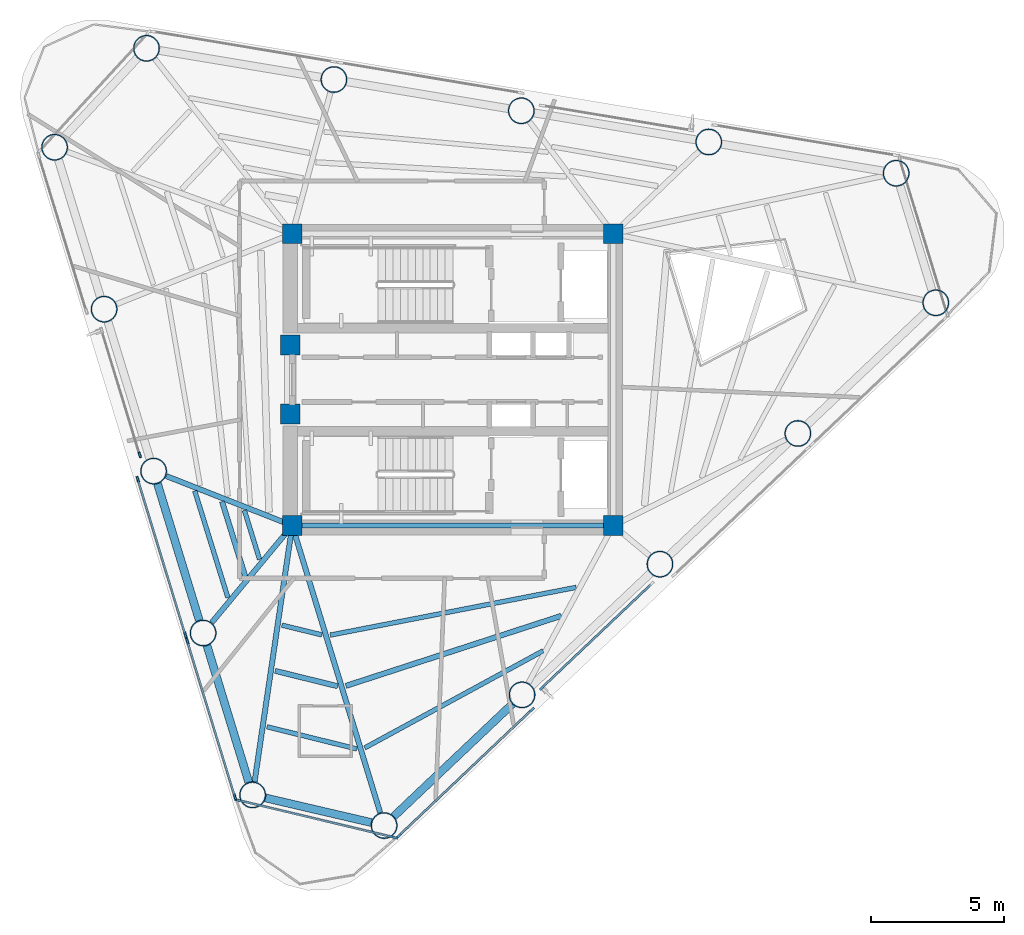
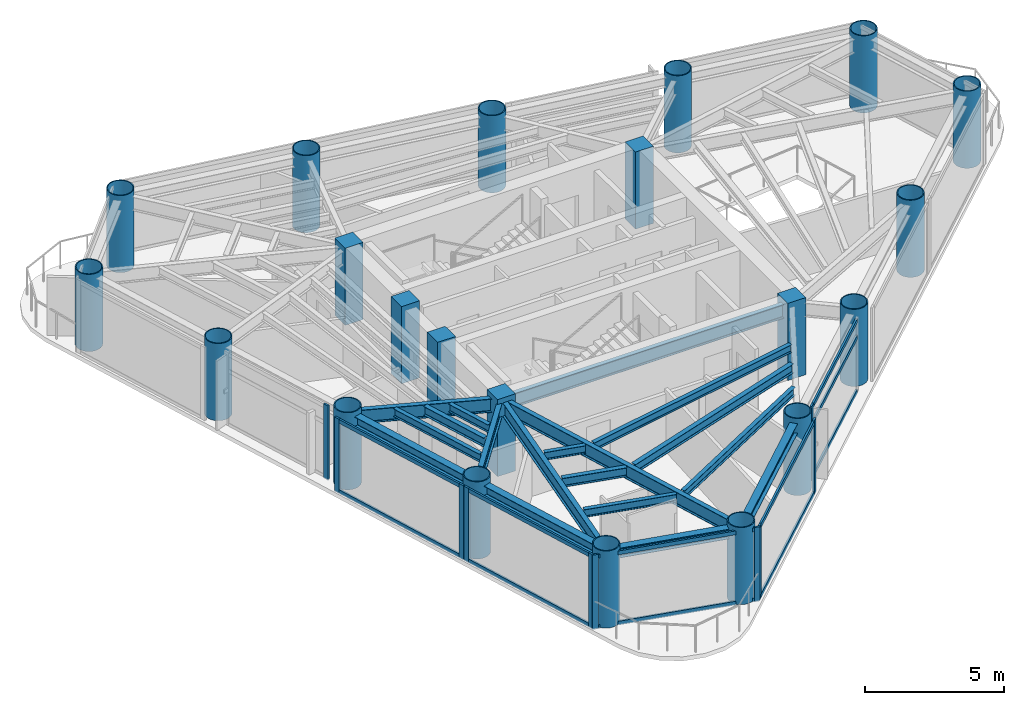
# One storey, part 1 of 9: 21 columns, 21 members, 18 beams, 6 elements without a shape of their own.
"""IFC4 building model written with IfcOpenShell, lengths in metres."""

from ifc_helpers import new_model, si_unit, direction, frame, origin, origin_2d, place, context, subcontext, project, spatial, rectangle, hollow_circle, i_section, extrude, source, transform, mapped, material, layer, layer_set, material_profile, profile_set, type_object, element, aggregate, save


model = new_model("IFC4")

# Units and contexts
model_context = context("Model", 3, precision=1e-05, world=origin(), true_north=direction((0.0, 1.0)))
body_context = subcontext(model_context, "Body", "Model", "MODEL_VIEW")
ifc_project = project(units=[si_unit("LENGTHUNIT", "METRE"), si_unit("AREAUNIT", "SQUARE_METRE"), si_unit("VOLUMEUNIT", "CUBIC_METRE"), si_unit("PLANEANGLEUNIT", "RADIAN"), si_unit("MASSUNIT", "GRAM", prefix="KILO")], contexts=[model_context])

# Site, building, storey
site_placement = place(None, origin())
site = spatial("IfcSite", under=ifc_project, at=site_placement, CompositionType="ELEMENT")
building_placement = place(site_placement, origin())
building = spatial("IfcBuilding", under=site, at=building_placement, Name="Yunling Apex Tower", CompositionType="ELEMENT")
storey_placement = place(building_placement, frame((0.0, 0.0, 249.050048828125)))
storey = spatial("IfcBuildingStorey", under=building, at=storey_placement, Name="L61", CompositionType="ELEMENT", Elevation=249.050048828125)

# Columns
ifc_material_1 = material(Name="Concrete C50", Category="concrete")
ifc_material_profile_1 = material_profile(ifc_material_1, rectangle(XDim=0.75, YDim=0.75, at=origin_2d()))
ifc_profile_set_1 = profile_set([ifc_material_profile_1], Name="Concrete C50")
column_type_1 = type_object("IfcColumnType", Name="PC-SRC-4", PredefinedType="COLUMN", material=ifc_profile_set_1)
shared_shape_1 = source(origin(), body_context, "Body", "SweptSolid", [
    extrude(rectangle(XDim=0.75, YDim=0.75, at=origin_2d()), origin(), (0.0, 0.0, 1.0), 3.39990234375),
])
for number, where, z_axis, x_axis, name in (
    (1, (-6.050048828125, -5.5, 0.0), (0.0, 0.0, 1.0), (1.0, 0.0, 0.0), "L61 Core Spine Column CC-SW"),
    (2, (6.050048828125, -5.5, 0.0), (0.0, 0.0, 1.0), (1.0, 0.0, 0.0), "L61 Core Spine Column CC-SE"),
    (3, (6.050048828125, 5.5, 0.0), (0.0, 0.0, 1.0), (1.0, 0.0, 0.0), "L61 Core Spine Column CC-NE"),
    (4, (-6.050048828125, 5.5, 0.0), (0.0, 0.0, 1.0), (1.0, 0.0, 0.0), "L61 Core Spine Column CC-NW"),
    (5, (-6.125, -1.300048828125, 0.0), (0.0, 0.0, 1.0), (1.0, 0.0, 0.0), "L61 Core West Portal Jamb Column S"),
    (6, (-6.125, 1.300048828125, 0.0), (0.0, 0.0, 1.0), (1.0, 0.0, 0.0), "L61 Core West Portal Jamb Column N"),
):
    element("IfcColumn", number, at=place(storey_placement, frame(where, z_axis=z_axis, x_axis=x_axis)), inside=storey, type_object=column_type_1, Name=name, PredefinedType="COLUMN", context=body_context, shape_type="MappedRepresentation", body=[
        mapped(shared_shape_1, transform((0.0, 0.0, 0.0), scale=1.0)),
    ])
ifc_material_2 = material(Name="Steel Q390GJC", Category="steel")
ifc_material_profile_2 = material_profile(ifc_material_2, hollow_circle(Radius=0.5, WallThickness=0.0400390625, at=origin_2d()))
ifc_profile_set_2 = profile_set([ifc_material_profile_2], Name="Steel Q390GJC")
column_type_2 = type_object("IfcColumnType", Name="MC-CFST-5", PredefinedType="COLUMN", material=ifc_profile_set_2)
shared_shape_2 = source(origin(), body_context, "Body", "SweptSolid", [
    extrude(hollow_circle(Radius=0.5, WallThickness=0.0400390625, at=origin_2d()), origin(), (0.0, 0.0, 1.0), 3.39990234375),
])
for number, where, z_axis, x_axis, name in (
    (7, (-2.58740234375, -16.807861328125, 0.0), (0.0, 0.0, 1.0), (1.0, 0.0, 0.0), "L61 Perimeter CFST Mega-Column P01"),
    (8, (2.61083984375, -11.8818359375, 0.0), (0.0, 0.0, 1.0), (1.0, 0.0, 0.0), "L61 Perimeter CFST Mega-Column P02"),
    (9, (7.80908203125, -6.9560546875, 0.0), (0.0, 0.0, 1.0), (1.0, 0.0, 0.0), "L61 Perimeter CFST Mega-Column P03"),
    (10, (13.007080078125, -2.030029296875, 0.0), (0.0, 0.0, 1.0), (1.0, 0.0, 0.0), "L61 Perimeter CFST Mega-Column P04"),
    (11, (18.205322265625, 2.89599609375, 0.0), (0.0, 0.0, 1.0), (1.0, 0.0, 0.0), "L61 Perimeter CFST Mega-Column P05"),
    (12, (16.712158203125, 7.779296875, 0.0), (0.0, 0.0, 1.0), (1.0, 0.0, 0.0), "L61 Perimeter CFST Mega-Column P06"),
    (13, (9.648193359375, 8.95654296875, 0.0), (0.0, 0.0, 1.0), (1.0, 0.0, 0.0), "L61 Perimeter CFST Mega-Column P07"),
    (14, (2.584228515625, 10.133544921875, 0.0), (0.0, 0.0, 1.0), (1.0, 0.0, 0.0), "L61 Perimeter CFST Mega-Column P08"),
    (15, (-4.479736328125, 11.310546875, 0.0), (0.0, 0.0, 1.0), (1.0, 0.0, 0.0), "L61 Perimeter CFST Mega-Column P09"),
    (16, (-11.543701171875, 12.487548828125, 0.0), (0.0, 0.0, 1.0), (1.0, 0.0, 0.0), "L61 Perimeter CFST Mega-Column P10"),
    (17, (-15.007568359375, 8.7587890625, 0.0), (0.0, 0.0, 1.0), (1.0, 0.0, 0.0), "L61 Perimeter CFST Mega-Column P11"),
    (18, (-13.1416015625, 2.65576171875, 0.0), (0.0, 0.0, 1.0), (1.0, 0.0, 0.0), "L61 Perimeter CFST Mega-Column P12"),
    (19, (-11.27587890625, -3.447509765625, 0.0), (0.0, 0.0, 1.0), (1.0, 0.0, 0.0), "L61 Perimeter CFST Mega-Column P13"),
    (20, (-9.409912109375, -9.55029296875, 0.0), (0.0, 0.0, 1.0), (1.0, 0.0, 0.0), "L61 Perimeter CFST Mega-Column P14"),
    (21, (-7.5439453125, -15.6533203125, 0.0), (0.0, 0.0, 1.0), (1.0, 0.0, 0.0), "L61 Perimeter CFST Mega-Column P15"),
):
    element("IfcColumn", number, at=place(storey_placement, frame(where, z_axis=z_axis, x_axis=x_axis)), inside=storey, type_object=column_type_2, Name=name, PredefinedType="COLUMN", context=body_context, shape_type="MappedRepresentation", body=[
        mapped(shared_shape_2, transform((0.0, 0.0, 0.0), scale=1.0)),
    ])

# Beams
ifc_material_3 = material(Name="Steel Q355B", Category="steel")
ifc_material_profile_3 = material_profile(ifc_material_3, i_section(OverallWidth=0.199951171875, OverallDepth=0.60009765625, WebThickness=0.010986328125, FlangeThickness=0.01708984375, FilletRadius=0.02197265625, at=origin_2d()))
ifc_profile_set_3 = profile_set([ifc_material_profile_3], Name="Steel Q355B")
beam_type_1 = type_object("IfcBeamType", Name="BG-PRI-5", PredefinedType="USERDEFINED", material=ifc_profile_set_3)
shared_shape_3 = source(origin(), body_context, "Body", "SweptSolid", [
    extrude(i_section(OverallWidth=0.199951171875, OverallDepth=0.60009765625, WebThickness=0.010986328125, FlangeThickness=0.01708984375, FilletRadius=0.02197265625, at=origin_2d()), origin(), (0.0, 0.0, 1.0), 11.7998046875),
])
beam_1_placement = place(storey_placement, frame((-5.89990234375, -5.5, 2.8798828125), z_axis=(1.0, 0.0, 0.0), x_axis=(0.0, 1.0, 0.0)))
element("IfcBeam", 22, at=beam_1_placement, inside=storey, type_object=beam_type_1, Name="L61 Core Ring Tie Beam 1", ObjectType="GIRDER", PredefinedType="USERDEFINED", context=body_context, shape_type="MappedRepresentation", body=[
    mapped(shared_shape_3, transform((0.0, 0.0, 0.0), scale=1.0)),
])
ifc_material_profile_4 = material_profile(ifc_material_3, i_section(OverallWidth=0.300048828125, OverallDepth=0.43994140625, WebThickness=0.010986328125, FlangeThickness=0.01806640625, FilletRadius=0.02197265625, at=origin_2d()))
ifc_profile_set_4 = profile_set([ifc_material_profile_4], Name="Steel Q355B")
beam_type_2 = type_object("IfcBeamType", Name="BP-SPN-3", PredefinedType="SPANDREL", material=ifc_profile_set_4)
shared_shape_4 = source(origin(), body_context, "Body", "SweptSolid", [
    extrude(i_section(OverallWidth=0.300048828125, OverallDepth=0.43994140625, WebThickness=0.010986328125, FlangeThickness=0.01806640625, FilletRadius=0.02197265625, at=origin_2d()), origin(), (0.0, 0.0, 1.0), 6.17333984375),
])
beam_2_placement = place(storey_placement, frame((-2.228759765625, -16.468017578125, 2.9599609375), z_axis=(0.725853952128, 0.687848849807, 0.0), x_axis=(-0.687848849807, 0.725853952128, 0.0)))
element("IfcBeam", 23, at=beam_2_placement, inside=storey, type_object=beam_type_2, Name="L61 Perimeter Spandrel Beam 1", PredefinedType="SPANDREL", context=body_context, shape_type="MappedRepresentation", body=[
    mapped(shared_shape_4, transform((0.0, 0.0, 0.0), scale=1.0)),
])
shared_shape_5 = source(origin(), body_context, "Body", "SweptSolid", [
    extrude(i_section(OverallWidth=0.300048828125, OverallDepth=0.43994140625, WebThickness=0.010986328125, FlangeThickness=0.01806640625, FilletRadius=0.02197265625, at=origin_2d()), origin(), (0.0, 0.0, 1.0), 4.1015625),
])
beam_3_placement = place(storey_placement, frame((-7.06298828125, -15.765380859375, 2.9599609375), z_axis=(0.973930702249, -0.226845734401, 0.0), x_axis=(0.226845734401, 0.973930702249, 0.0)))
element("IfcBeam", 24, at=beam_3_placement, inside=storey, type_object=beam_type_2, Name="L61 Perimeter Spandrel Beam 15", PredefinedType="SPANDREL", context=body_context, shape_type="MappedRepresentation", body=[
    mapped(shared_shape_5, transform((0.0, 0.0, 0.0), scale=1.0)),
])
shared_shape_6 = source(origin(), body_context, "Body", "SweptSolid", [
    extrude(i_section(OverallWidth=0.300048828125, OverallDepth=0.43994140625, WebThickness=0.010986328125, FlangeThickness=0.01806640625, FilletRadius=0.02197265625, at=origin_2d()), origin(), (0.0, 0.0, 1.0), 5.393798828125),
])
for number, where, z_axis, x_axis, name in (
    (25, (-11.13134765625, -3.919921875, 2.9599609375), (0.292405975038, -0.956294277805, 0.0), (0.956294277805, 0.292405975038, 0.0), "L61 Perimeter Spandrel Beam 13"),
    (26, (-9.265380859375, -10.022705078125, 2.9599609375), (0.292351925226, -0.956310802938, 0.0), (0.956310802938, 0.292351925226, 0.0), "L61 Perimeter Spandrel Beam 14"),
):
    element("IfcBeam", number, at=place(storey_placement, frame(where, z_axis=z_axis, x_axis=x_axis)), inside=storey, type_object=beam_type_2, Name=name, PredefinedType="SPANDREL", context=body_context, shape_type="MappedRepresentation", body=[
        mapped(shared_shape_6, transform((0.0, 0.0, 0.0), scale=1.0)),
    ])
shared_shape_7 = source(origin(), body_context, "Body", "SweptSolid", [
    extrude(i_section(OverallWidth=0.199951171875, OverallDepth=0.60009765625, WebThickness=0.010986328125, FlangeThickness=0.01708984375, FilletRadius=0.02197265625, at=origin_2d()), origin(), (0.0, 0.0, 1.0), 11.23828125),
])
beam_4_placement = place(storey_placement, frame((-2.736083984375, -16.322265625, 2.8798828125), z_axis=(-0.292794126511, 0.956175506631, 0.0), x_axis=(-0.956175506631, -0.292794126511, 0.0)))
element("IfcBeam", 27, at=beam_4_placement, inside=storey, type_object=beam_type_1, Name="L61 Radial Primary Girder R01", ObjectType="GIRDER", PredefinedType="USERDEFINED", context=body_context, shape_type="MappedRepresentation", body=[
    mapped(shared_shape_7, transform((0.0, 0.0, 0.0), scale=1.0)),
])
shared_shape_8 = source(origin(), body_context, "Body", "SweptSolid", [
    extrude(i_section(OverallWidth=0.199951171875, OverallDepth=0.60009765625, WebThickness=0.010986328125, FlangeThickness=0.01708984375, FilletRadius=0.02197265625, at=origin_2d()), origin(), (0.0, 0.0, 1.0), 5.0263671875),
])
beam_5_placement = place(storey_placement, frame((-10.802978515625, -3.633056640625, 2.8798828125), z_axis=(0.930773335483, -0.365596769617, 0.0), x_axis=(0.365596769617, 0.930773335483, 0.0)))
element("IfcBeam", 28, at=beam_5_placement, inside=storey, type_object=beam_type_1, Name="L61 Radial Primary Girder R13", ObjectType="GIRDER", PredefinedType="USERDEFINED", context=body_context, shape_type="MappedRepresentation", body=[
    mapped(shared_shape_8, transform((0.0, 0.0, 0.0), scale=1.0)),
])
shared_shape_9 = source(origin(), body_context, "Body", "SweptSolid", [
    extrude(i_section(OverallWidth=0.199951171875, OverallDepth=0.60009765625, WebThickness=0.010986328125, FlangeThickness=0.01708984375, FilletRadius=0.02197265625, at=origin_2d()), origin(), (0.0, 0.0, 1.0), 4.6748046875),
])
beam_6_placement = place(storey_placement, frame((-9.085693359375, -9.159423828125, 2.8798828125), z_axis=(0.63846190647, 0.769653424593, 0.0), x_axis=(-0.769653424593, 0.63846190647, 0.0)))
element("IfcBeam", 29, at=beam_6_placement, inside=storey, type_object=beam_type_1, Name="L61 Radial Primary Girder R14", ObjectType="GIRDER", PredefinedType="USERDEFINED", context=body_context, shape_type="MappedRepresentation", body=[
    mapped(shared_shape_9, transform((0.0, 0.0, 0.0), scale=1.0)),
])
shared_shape_10 = source(origin(), body_context, "Body", "SweptSolid", [
    extrude(i_section(OverallWidth=0.199951171875, OverallDepth=0.60009765625, WebThickness=0.010986328125, FlangeThickness=0.01708984375, FilletRadius=0.02197265625, at=origin_2d()), origin(), (0.0, 0.0, 1.0), 9.6748046875),
])
beam_7_placement = place(storey_placement, frame((-7.469970703125, -15.15087890625, 2.8798828125), z_axis=(0.145578261909, 0.989346738843, 0.0), x_axis=(-0.989346738843, 0.145578261909, 0.0)))
element("IfcBeam", 30, at=beam_7_placement, inside=storey, type_object=beam_type_1, Name="L61 Radial Primary Girder R15", ObjectType="GIRDER", PredefinedType="USERDEFINED", context=body_context, shape_type="MappedRepresentation", body=[
    mapped(shared_shape_10, transform((0.0, 0.0, 0.0), scale=1.0)),
])
ifc_material_profile_5 = material_profile(ifc_material_3, i_section(OverallWidth=0.199951171875, OverallDepth=0.39990234375, WebThickness=0.008056640625, FlangeThickness=0.012939453125, FilletRadius=0.01611328125, at=origin_2d()))
ifc_profile_set_5 = profile_set([ifc_material_profile_5], Name="Steel Q355B")
beam_type_3 = type_object("IfcBeamType", Name="BS-SEC-4", PredefinedType="BEAM", material=ifc_profile_set_5)
shared_shape_11 = source(origin(), body_context, "Body", "SweptSolid", [
    extrude(i_section(OverallWidth=0.199951171875, OverallDepth=0.39990234375, WebThickness=0.008056640625, FlangeThickness=0.012939453125, FilletRadius=0.01611328125, at=origin_2d()), origin(), (0.0, 0.0, 1.0), 8.540283203125),
])
beam_8_placement = place(storey_placement, frame((-4.03173828125, -11.544677734375, 2.97998046875), z_axis=(0.950990153104, 0.309221164702, 0.0), x_axis=(-0.309221164702, 0.950990153104, 0.0)))
element("IfcBeam", 31, at=beam_8_placement, inside=storey, type_object=beam_type_3, Name="L61 Composite Floor Beam BS-1", PredefinedType="BEAM", context=body_context, shape_type="MappedRepresentation", body=[
    mapped(shared_shape_11, transform((0.0, 0.0, 0.0), scale=1.0)),
])
ifc_material_profile_6 = material_profile(ifc_material_3, i_section(OverallWidth=0.175048828125, OverallDepth=0.35009765625, WebThickness=0.007080078125, FlangeThickness=0.010986328125, FilletRadius=0.013916015625, at=origin_2d()))
ifc_profile_set_6 = profile_set([ifc_material_profile_6], Name="Steel Q355B")
beam_type_4 = type_object("IfcBeamType", Name="BJ-JST-1", PredefinedType="JOIST", material=ifc_profile_set_6)
shared_shape_12 = source(origin(), body_context, "Body", "SweptSolid", [
    extrude(i_section(OverallWidth=0.175048828125, OverallDepth=0.35009765625, WebThickness=0.007080078125, FlangeThickness=0.010986328125, FilletRadius=0.013916015625, at=origin_2d()), origin(), (0.0, 0.0, 1.0), 7.657470703125),
])
beam_9_placement = place(storey_placement, frame((-3.3193359375, -13.881591796875, 3.0048828125), z_axis=(0.878333844235, 0.478047757104, 0.0), x_axis=(-0.478047757104, 0.878333844235, 0.0)))
element("IfcBeam", 32, at=beam_9_placement, inside=storey, type_object=beam_type_4, Name="L61 Composite Floor Joist BJ1-1", PredefinedType="JOIST", context=body_context, shape_type="MappedRepresentation", body=[
    mapped(shared_shape_12, transform((0.0, 0.0, 0.0), scale=1.0)),
])
shared_shape_13 = source(origin(), body_context, "Body", "SweptSolid", [
    extrude(i_section(OverallWidth=0.175048828125, OverallDepth=0.35009765625, WebThickness=0.007080078125, FlangeThickness=0.010986328125, FilletRadius=0.013916015625, at=origin_2d()), origin(), (0.0, 0.0, 1.0), 9.4462890625),
])
beam_10_placement = place(storey_placement, frame((-4.619140625, -9.62939453125, 3.0048828125), z_axis=(0.981676272709, 0.190556279353, 0.0), x_axis=(-0.190556279353, 0.981676272709, 0.0)))
element("IfcBeam", 33, at=beam_10_placement, inside=storey, type_object=beam_type_4, Name="L61 Composite Floor Joist BJ3-1", PredefinedType="JOIST", context=body_context, shape_type="MappedRepresentation", body=[
    mapped(shared_shape_13, transform((0.0, 0.0, 0.0), scale=1.0)),
])
shared_shape_14 = source(origin(), body_context, "Body", "SweptSolid", [
    extrude(i_section(OverallWidth=0.199951171875, OverallDepth=0.39990234375, WebThickness=0.008056640625, FlangeThickness=0.012939453125, FilletRadius=0.01611328125, at=origin_2d()), origin(), (0.0, 0.0, 1.0), 2.9619140625),
])
beam_11_placement = place(storey_placement, frame((-8.697021484375, -4.594482421875, 2.97998046875), z_axis=(0.296152913488, -0.955140540356, 0.0), x_axis=(0.955140540356, 0.296152913488, 0.0)))
element("IfcBeam", 34, at=beam_11_placement, inside=storey, type_object=beam_type_3, Name="L61 Composite Floor Beam BS-13", PredefinedType="BEAM", context=body_context, shape_type="MappedRepresentation", body=[
    mapped(shared_shape_14, transform((0.0, 0.0, 0.0), scale=1.0)),
])
shared_shape_15 = source(origin(), body_context, "Body", "SweptSolid", [
    extrude(i_section(OverallWidth=0.175048828125, OverallDepth=0.35009765625, WebThickness=0.007080078125, FlangeThickness=0.010986328125, FilletRadius=0.013916015625, at=origin_2d()), origin(), (0.0, 0.0, 1.0), 4.21435546875),
])
beam_12_placement = place(storey_placement, frame((-9.726318359375, -4.190185546875, 3.0048828125), z_axis=(0.296539510889, -0.955020585371, 0.0), x_axis=(0.955020585371, 0.296539510889, 0.0)))
element("IfcBeam", 35, at=beam_12_placement, inside=storey, type_object=beam_type_4, Name="L61 Composite Floor Joist BJ1-13", PredefinedType="JOIST", context=body_context, shape_type="MappedRepresentation", body=[
    mapped(shared_shape_15, transform((0.0, 0.0, 0.0), scale=1.0)),
])
shared_shape_16 = source(origin(), body_context, "Body", "SweptSolid", [
    extrude(i_section(OverallWidth=0.175048828125, OverallDepth=0.35009765625, WebThickness=0.007080078125, FlangeThickness=0.010986328125, FilletRadius=0.013916015625, at=origin_2d()), origin(), (0.0, 0.0, 1.0), 1.93701171875),
])
beam_13_placement = place(storey_placement, frame((-7.85498046875, -4.92529296875, 3.0048828125), z_axis=(0.295546803782, -0.955328261266, 0.0), x_axis=(0.955328261266, 0.295546803782, 0.0)))
element("IfcBeam", 36, at=beam_13_placement, inside=storey, type_object=beam_type_4, Name="L61 Composite Floor Joist BJ3-13", PredefinedType="JOIST", context=body_context, shape_type="MappedRepresentation", body=[
    mapped(shared_shape_16, transform((0.0, 0.0, 0.0), scale=1.0)),
])
shared_shape_17 = source(origin(), body_context, "Body", "SweptSolid", [
    extrude(i_section(OverallWidth=0.199951171875, OverallDepth=0.39990234375, WebThickness=0.008056640625, FlangeThickness=0.012939453125, FilletRadius=0.01611328125, at=origin_2d()), origin(), (0.0, 0.0, 1.0), 2.42578125),
])
beam_14_placement = place(storey_placement, frame((-6.69482421875, -10.977294921875, 2.97998046875), z_axis=(0.971134786196, -0.23853139634, 0.0), x_axis=(0.23853139634, 0.971134786196, 0.0)))
element("IfcBeam", 37, at=beam_14_placement, inside=storey, type_object=beam_type_3, Name="L61 Composite Floor Beam BS-15", PredefinedType="BEAM", context=body_context, shape_type="MappedRepresentation", body=[
    mapped(shared_shape_17, transform((0.0, 0.0, 0.0), scale=1.0)),
])
shared_shape_18 = source(origin(), body_context, "Body", "SweptSolid", [
    extrude(i_section(OverallWidth=0.175048828125, OverallDepth=0.35009765625, WebThickness=0.007080078125, FlangeThickness=0.010986328125, FilletRadius=0.013916015625, at=origin_2d()), origin(), (0.0, 0.0, 1.0), 3.4912109375),
])
beam_15_placement = place(storey_placement, frame((-7.0048828125, -13.08349609375, 3.0048828125), z_axis=(0.970878392095, -0.239572844376, 0.0), x_axis=(0.239572844376, 0.970878392095, 0.0)))
element("IfcBeam", 38, at=beam_15_placement, inside=storey, type_object=beam_type_4, Name="L61 Composite Floor Joist BJ1-15", PredefinedType="JOIST", context=body_context, shape_type="MappedRepresentation", body=[
    mapped(shared_shape_18, transform((0.0, 0.0, 0.0), scale=1.0)),
])
shared_shape_19 = source(origin(), body_context, "Body", "SweptSolid", [
    extrude(i_section(OverallWidth=0.175048828125, OverallDepth=0.35009765625, WebThickness=0.007080078125, FlangeThickness=0.010986328125, FilletRadius=0.013916015625, at=origin_2d()), origin(), (0.0, 0.0, 1.0), 1.553955078125),
])
beam_16_placement = place(storey_placement, frame((-6.44140625, -9.254150390625, 3.0048828125), z_axis=(0.971567073494, -0.23676448573, 0.0), x_axis=(0.23676448573, 0.971567073494, 0.0)))
element("IfcBeam", 39, at=beam_16_placement, inside=storey, type_object=beam_type_4, Name="L61 Composite Floor Joist BJ3-15", PredefinedType="JOIST", context=body_context, shape_type="MappedRepresentation", body=[
    mapped(shared_shape_19, transform((0.0, 0.0, 0.0), scale=1.0)),
])

# Curtain wall, members
ifc_material_4 = material(Name="Bronze anodised aluminium", Category="aluminium")
ifc_layer = layer(ifc_material_4, 0.219970703125)
ifc_layer_set = layer_set([ifc_layer], Name="Bronze anodised aluminium")
curtain_wall_type = type_object("IfcCurtainWallType", Name="CW-SYS-4", PredefinedType="NOTDEFINED", material=ifc_layer_set)
curtain_wall_1_placement = place(storey_placement, origin())
curtain_wall_1 = element("IfcCurtainWall", 40, at=curtain_wall_1_placement, inside=storey, type_object=curtain_wall_type, Name="CW-L61-F1-B2", PredefinedType="NOTDEFINED")
ifc_material_profile_7 = material_profile(ifc_material_4, rectangle(XDim=0.080078125, YDim=0.169921875, at=origin_2d()))
ifc_profile_set_7 = profile_set([ifc_material_profile_7], Name="Bronze anodised aluminium")
member_type_1 = type_object("IfcMemberType", Name="CW-TRN-4", PredefinedType="USERDEFINED", material=ifc_profile_set_7)
shared_shape_20 = source(origin(), body_context, "Body", "SweptSolid", [
    extrude(rectangle(XDim=0.080078125, YDim=0.169921875, at=origin_2d()), origin(), (0.0, 0.0, 1.0), 5.609619140625),
])
member_1_placement = place(storey_placement, frame((3.39404296875, -11.580322265625, 0.0400390625), z_axis=(0.725870335167, 0.687831561157, 0.0), x_axis=(-0.687831561157, 0.725870335167, 0.0)))
member_1 = element("IfcMember", 41, at=member_1_placement, type_object=member_type_1, Name="CW-SYS-4 transom 1.1", ObjectType="TRANSOM", PredefinedType="USERDEFINED", context=body_context, shape_type="MappedRepresentation", body=[
    mapped(shared_shape_20, transform((0.0, 0.0, 0.0), scale=1.0)),
])
member_2_placement = place(storey_placement, frame((3.39404296875, -11.580322265625, 2.416748046875), z_axis=(0.725870335167, 0.687831561157, 0.0), x_axis=(-0.687831561157, 0.725870335167, 0.0)))
member_2 = element("IfcMember", 42, at=member_2_placement, type_object=member_type_1, Name="CW-SYS-4 transom 1.2", ObjectType="TRANSOM", PredefinedType="USERDEFINED", context=body_context, shape_type="MappedRepresentation", body=[
    mapped(shared_shape_20, transform((0.0, 0.0, 0.0), scale=1.0)),
])
member_3_placement = place(storey_placement, frame((3.39404296875, -11.580322265625, 3.139892578125), z_axis=(0.725870335167, 0.687831561157, 0.0), x_axis=(-0.687831561157, 0.725870335167, 0.0)))
member_3 = element("IfcMember", 43, at=member_3_placement, type_object=member_type_1, Name="CW-SYS-4 transom 1.3", ObjectType="TRANSOM", PredefinedType="USERDEFINED", context=body_context, shape_type="MappedRepresentation", body=[
    mapped(shared_shape_20, transform((0.0, 0.0, 0.0), scale=1.0)),
])

curtain_wall_2_placement = place(storey_placement, origin())
curtain_wall_2 = element("IfcCurtainWall", 44, at=curtain_wall_2_placement, inside=storey, type_object=curtain_wall_type, Name="CW-L61-F1-B1", PredefinedType="NOTDEFINED")
shared_shape_21 = source(origin(), body_context, "Body", "SweptSolid", [
    extrude(rectangle(XDim=0.080078125, YDim=0.169921875, at=origin_2d()), origin(), (0.0, 0.0, 1.0), 6.849365234375),
])
member_4_placement = place(storey_placement, frame((-2.02001953125, -17.1796875, 0.0400390625), z_axis=(0.725832781837, 0.687871189112, 0.0), x_axis=(-0.687871189112, 0.725832781837, 0.0)))
member_4 = element("IfcMember", 45, at=member_4_placement, type_object=member_type_1, Name="CW-SYS-4 transom 1.1", ObjectType="TRANSOM", PredefinedType="USERDEFINED", context=body_context, shape_type="MappedRepresentation", body=[
    mapped(shared_shape_21, transform((0.0, 0.0, 0.0), scale=1.0)),
])
member_5_placement = place(storey_placement, frame((-2.02001953125, -17.1796875, 3.139892578125), z_axis=(0.725832781837, 0.687871189112, 0.0), x_axis=(-0.687871189112, 0.725832781837, 0.0)))
member_5 = element("IfcMember", 46, at=member_5_placement, type_object=member_type_1, Name="CW-SYS-4 transom 1.2", ObjectType="TRANSOM", PredefinedType="USERDEFINED", context=body_context, shape_type="MappedRepresentation", body=[
    mapped(shared_shape_21, transform((0.0, 0.0, 0.0), scale=1.0)),
])

curtain_wall_3_placement = place(storey_placement, origin())
curtain_wall_3 = element("IfcCurtainWall", 47, at=curtain_wall_3_placement, inside=storey, type_object=curtain_wall_type, Name="CW-L61-F3-B3", PredefinedType="NOTDEFINED")
shared_shape_22 = source(origin(), body_context, "Body", "SweptSolid", [
    extrude(rectangle(XDim=0.080078125, YDim=0.169921875, at=origin_2d()), origin(), (0.0, 0.0, 1.0), 6.06982421875),
])
member_6_placement = place(storey_placement, frame((-11.861328125, -3.78955078125, 0.0400390625), z_axis=(0.292369766892, -0.956305348415, 0.0), x_axis=(0.956305348415, 0.292369766892, 0.0)))
member_6 = element("IfcMember", 48, at=member_6_placement, type_object=member_type_1, Name="CW-SYS-4 transom 1.1", ObjectType="TRANSOM", PredefinedType="USERDEFINED", context=body_context, shape_type="MappedRepresentation", body=[
    mapped(shared_shape_22, transform((0.0, 0.0, 0.0), scale=1.0)),
])
member_7_placement = place(storey_placement, frame((-11.861328125, -3.78955078125, 3.139892578125), z_axis=(0.292369766892, -0.956305348415, 0.0), x_axis=(0.956305348415, 0.292369766892, 0.0)))
member_7 = element("IfcMember", 49, at=member_7_placement, type_object=member_type_1, Name="CW-SYS-4 transom 1.2", ObjectType="TRANSOM", PredefinedType="USERDEFINED", context=body_context, shape_type="MappedRepresentation", body=[
    mapped(shared_shape_22, transform((0.0, 0.0, 0.0), scale=1.0)),
])

curtain_wall_4_placement = place(storey_placement, origin())
curtain_wall_4 = element("IfcCurtainWall", 50, at=curtain_wall_4_placement, inside=storey, type_object=curtain_wall_type, Name="CW-L61-F3-B4", PredefinedType="NOTDEFINED")
member_8_placement = place(storey_placement, frame((-9.995361328125, -9.892578125, 0.0400390625), z_axis=(0.292369766892, -0.956305348415, 0.0), x_axis=(0.956305348415, 0.292369766892, 0.0)))
member_8 = element("IfcMember", 51, at=member_8_placement, type_object=member_type_1, Name="CW-SYS-4 transom 1.1", ObjectType="TRANSOM", PredefinedType="USERDEFINED", context=body_context, shape_type="MappedRepresentation", body=[
    mapped(shared_shape_22, transform((0.0, 0.0, 0.0), scale=1.0)),
])
member_9_placement = place(storey_placement, frame((-9.995361328125, -9.892578125, 3.139892578125), z_axis=(0.292369766892, -0.956305348415, 0.0), x_axis=(0.956305348415, 0.292369766892, 0.0)))
member_9 = element("IfcMember", 52, at=member_9_placement, type_object=member_type_1, Name="CW-SYS-4 transom 1.2", ObjectType="TRANSOM", PredefinedType="USERDEFINED", context=body_context, shape_type="MappedRepresentation", body=[
    mapped(shared_shape_22, transform((0.0, 0.0, 0.0), scale=1.0)),
])

curtain_wall_5_placement = place(storey_placement, origin())
curtain_wall_5 = element("IfcCurtainWall", 53, at=curtain_wall_5_placement, inside=storey, type_object=curtain_wall_type, Name="CW-L61-CRN3", PredefinedType="NOTDEFINED")
shared_shape_23 = source(origin(), body_context, "Body", "SweptSolid", [
    extrude(rectangle(XDim=0.080078125, YDim=0.169921875, at=origin_2d()), origin(), (0.0, 0.0, 1.0), 6.02490234375),
])
member_10_placement = place(storey_placement, frame((-8.08203125, -15.858154296875, 0.0400390625), z_axis=(0.972757933043, -0.231823216485, 0.0), x_axis=(0.231823216485, 0.972757933043, 0.0)))
member_10 = element("IfcMember", 54, at=member_10_placement, type_object=member_type_1, Name="CW-SYS-4 transom 1.1", ObjectType="TRANSOM", PredefinedType="USERDEFINED", context=body_context, shape_type="MappedRepresentation", body=[
    mapped(shared_shape_23, transform((0.0, 0.0, 0.0), scale=1.0)),
])
member_11_placement = place(storey_placement, frame((-8.08203125, -15.858154296875, 3.139892578125), z_axis=(0.972757933043, -0.231823216485, 0.0), x_axis=(0.231823216485, 0.972757933043, 0.0)))
member_11 = element("IfcMember", 55, at=member_11_placement, type_object=member_type_1, Name="CW-SYS-4 transom 1.2", ObjectType="TRANSOM", PredefinedType="USERDEFINED", context=body_context, shape_type="MappedRepresentation", body=[
    mapped(shared_shape_23, transform((0.0, 0.0, 0.0), scale=1.0)),
])

# Member
ifc_material_profile_8 = material_profile(ifc_material_4, rectangle(XDim=0.080078125, YDim=0.219970703125, at=origin_2d()))
ifc_profile_set_8 = profile_set([ifc_material_profile_8], Name="Bronze anodised aluminium")
member_type_2 = type_object("IfcMemberType", Name="CW-MUL-4", PredefinedType="MULLION", material=ifc_profile_set_8)
shared_shape_24 = source(origin(), body_context, "Body", "SweptSolid", [
    extrude(rectangle(XDim=0.080078125, YDim=0.219970703125, at=origin_2d()), origin(), (0.0, 0.0, 1.0), 3.280029296875),
])
member_12_placement = place(storey_placement, frame((-2.04638671875, -17.204345703125, -0.050048828125), z_axis=(0.0, 0.0, 1.0), x_axis=(-0.687848040467, 0.72585471909, 0.0)))
member_12 = element("IfcMember", 56, at=member_12_placement, type_object=member_type_2, Name="CW-SYS-4 mullion 1", PredefinedType="MULLION", context=body_context, shape_type="MappedRepresentation", body=[
    mapped(shared_shape_24, transform((0.0, 0.0, 0.0), scale=1.0)),
])

member_13_placement = place(storey_placement, frame((2.977783203125, -12.443603515625, -0.050048828125), z_axis=(0.0, 0.0, 1.0), x_axis=(-0.687848040467, 0.72585471909, 0.0)))
member_13 = element("IfcMember", 57, at=member_13_placement, type_object=member_type_2, Name="CW-SYS-4 mullion 2", PredefinedType="MULLION", context=body_context, shape_type="MappedRepresentation", body=[
    mapped(shared_shape_24, transform((0.0, 0.0, 0.0), scale=1.0)),
])

aggregate(curtain_wall_2, [member_12, member_13, member_4, member_5])

member_14_placement = place(storey_placement, frame((3.367919921875, -11.605224609375, -0.050048828125), z_axis=(0.0, 0.0, 1.0), x_axis=(-0.687854406681, 0.725848686167, 0.0)))
member_14 = element("IfcMember", 58, at=member_14_placement, type_object=member_type_2, Name="CW-SYS-4 mullion 1", PredefinedType="MULLION", context=body_context, shape_type="MappedRepresentation", body=[
    mapped(shared_shape_24, transform((0.0, 0.0, 0.0), scale=1.0)),
])

aggregate(curtain_wall_1, [member_14, member_1, member_2, member_3])

# Curtain wall, member
curtain_wall_6_placement = place(storey_placement, origin())
curtain_wall_6 = element("IfcCurtainWall", 59, at=curtain_wall_6_placement, inside=storey, type_object=curtain_wall_type, Name="CW-L61-F3-B2", PredefinedType="NOTDEFINED")
member_15_placement = place(storey_placement, frame((-11.798095703125, -2.833251953125, -0.050048828125), z_axis=(0.0, 0.0, 1.0), x_axis=(0.956304345474, 0.29237304737, 0.0)))
member_15 = element("IfcMember", 60, at=member_15_placement, type_object=member_type_2, Name="CW-SYS-4 mullion 2", PredefinedType="MULLION", context=body_context, shape_type="MappedRepresentation", body=[
    mapped(shared_shape_24, transform((0.0, 0.0, 0.0), scale=1.0)),
])
aggregate(curtain_wall_6, [member_15])

# Member
member_16_placement = place(storey_placement, frame((-11.871826171875, -3.755126953125, -0.050048828125), z_axis=(0.0, 0.0, 1.0), x_axis=(0.956304646078, 0.29237206414, 0.0)))
member_16 = element("IfcMember", 61, at=member_16_placement, type_object=member_type_2, Name="CW-SYS-4 mullion 1", PredefinedType="MULLION", context=body_context, shape_type="MappedRepresentation", body=[
    mapped(shared_shape_24, transform((0.0, 0.0, 0.0), scale=1.0)),
])

member_17_placement = place(storey_placement, frame((-10.076171875, -9.628662109375, -0.050048828125), z_axis=(0.0, 0.0, 1.0), x_axis=(0.956304646078, 0.29237206414, 0.0)))
member_17 = element("IfcMember", 62, at=member_17_placement, type_object=member_type_2, Name="CW-SYS-4 mullion 2", PredefinedType="MULLION", context=body_context, shape_type="MappedRepresentation", body=[
    mapped(shared_shape_24, transform((0.0, 0.0, 0.0), scale=1.0)),
])

aggregate(curtain_wall_3, [member_16, member_17, member_6, member_7])

member_18_placement = place(storey_placement, frame((-10.005859375, -9.858154296875, -0.050048828125), z_axis=(0.0, 0.0, 1.0), x_axis=(0.956304646078, 0.29237206414, 0.0)))
member_18 = element("IfcMember", 63, at=member_18_placement, type_object=member_type_2, Name="CW-SYS-4 mullion 1", PredefinedType="MULLION", context=body_context, shape_type="MappedRepresentation", body=[
    mapped(shared_shape_24, transform((0.0, 0.0, 0.0), scale=1.0)),
])

member_19_placement = place(storey_placement, frame((-8.210205078125, -15.731689453125, -0.050048828125), z_axis=(0.0, 0.0, 1.0), x_axis=(0.956304646078, 0.29237206414, 0.0)))
member_19 = element("IfcMember", 64, at=member_19_placement, type_object=member_type_2, Name="CW-SYS-4 mullion 2", PredefinedType="MULLION", context=body_context, shape_type="MappedRepresentation", body=[
    mapped(shared_shape_24, transform((0.0, 0.0, 0.0), scale=1.0)),
])

aggregate(curtain_wall_4, [member_18, member_19, member_8, member_9])

member_20_placement = place(storey_placement, frame((-8.1171875, -15.849853515625, -0.050048828125), z_axis=(0.0, 0.0, 1.0), x_axis=(0.231809474992, 0.97276120775, 0.0)))
member_20 = element("IfcMember", 65, at=member_20_placement, type_object=member_type_2, Name="CW-SYS-4 mullion 1", PredefinedType="MULLION", context=body_context, shape_type="MappedRepresentation", body=[
    mapped(shared_shape_24, transform((0.0, 0.0, 0.0), scale=1.0)),
])

member_21_placement = place(storey_placement, frame((-2.18603515625, -17.26318359375, -0.050048828125), z_axis=(0.0, 0.0, 1.0), x_axis=(0.231809474992, 0.97276120775, 0.0)))
member_21 = element("IfcMember", 66, at=member_21_placement, type_object=member_type_2, Name="CW-SYS-4 mullion 2", PredefinedType="MULLION", context=body_context, shape_type="MappedRepresentation", body=[
    mapped(shared_shape_24, transform((0.0, 0.0, 0.0), scale=1.0)),
])

aggregate(curtain_wall_5, [member_20, member_21, member_10, member_11])

save(model, "model.ifc")
